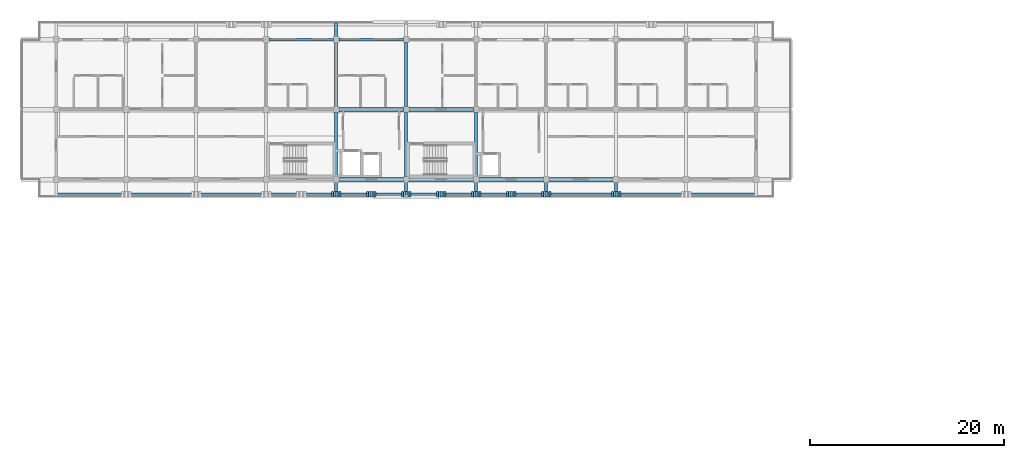
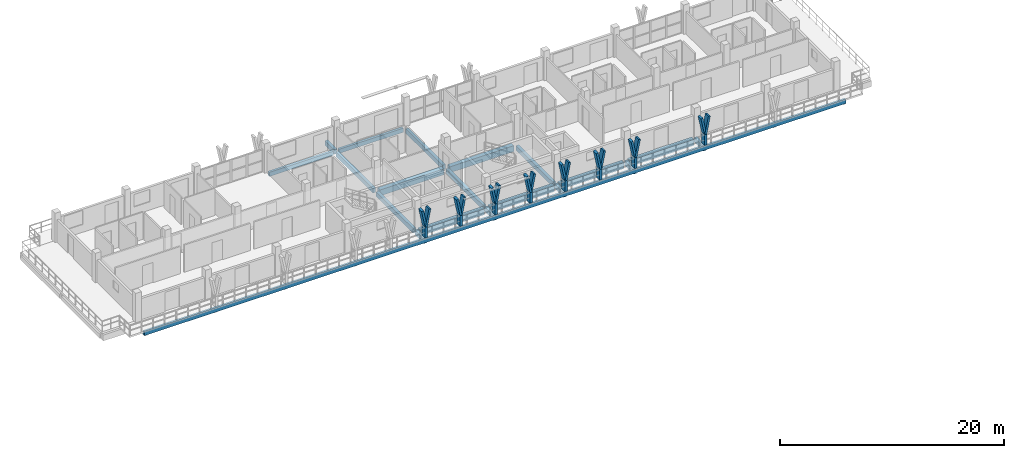
# One storey, part 8 of 56: 24 members, 20 beams.
"""IFC4 building model written with IfcOpenShell, lengths in metres."""

from ifc_helpers import new_model, si_unit, direction, frame, origin, origin_2d, place, context, subcontext, project, spatial, rectangle, extrude, material, material_profile, profile_set, type_object, element, save


model = new_model("IFC4")

# Units and contexts
model_context = context("Model", 3, precision=1e-05, world=origin(), true_north=direction((0.0, 1.0)))
body_context = subcontext(model_context, "Body", "Model", "MODEL_VIEW")
ifc_project = project(units=[si_unit("LENGTHUNIT", "METRE"), si_unit("AREAUNIT", "SQUARE_METRE"), si_unit("VOLUMEUNIT", "CUBIC_METRE"), si_unit("PLANEANGLEUNIT", "RADIAN"), si_unit("MASSUNIT", "GRAM", prefix="KILO")], contexts=[model_context])

# Site, building, storey
site_placement = place(None, origin())
site = spatial("IfcSite", under=ifc_project, at=site_placement, CompositionType="ELEMENT")
building_placement = place(site_placement, origin())
building = spatial("IfcBuilding", under=site, at=building_placement, Name="Suanplinth Sawtooth Commons", CompositionType="ELEMENT")
storey_placement = place(building_placement, frame((0.0, 0.0, 34.800048828125)))
storey = spatial("IfcBuildingStorey", under=building, at=storey_placement, Name="L10", CompositionType="ELEMENT", Elevation=34.800048828125)

# Beams
ifc_material_1 = material(Name="Precast concrete C40/50", Category="concrete")
ifc_material_profile_1 = material_profile(ifc_material_1, rectangle(XDim=0.449951171875, YDim=0.64990234375, at=origin_2d()), Name="PC-GDR 450x650")
ifc_profile_set_1 = profile_set([ifc_material_profile_1], Name="Precast concrete C40/50")
beam_type_1 = type_object("IfcBeamType", Name="B-04", PredefinedType="USERDEFINED", material=ifc_profile_set_1)
for number, where, z_axis, x_axis, name in (
    (1, (50.699951171875, 108.0, -0.545166015625), (1.0, 0.0, 0.0), (0.0, 1.0, 0.0), "BMX-L10-A-7-15"),
    (2, (50.699951171875, 115.199951171875, -0.545166015625), (1.0, 0.0, 0.0), (0.0, 1.0, 0.0), "BMX-L10-A-7-16"),
    (3, (57.89990234375, 108.0, -0.545166015625), (1.0, 0.0, 0.0), (0.0, 1.0, 0.0), "BMX-L10-A-8-15"),
    (4, (57.89990234375, 115.199951171875, -0.545166015625), (1.0, 0.0, 0.0), (0.0, 1.0, 0.0), "BMX-L10-A-8-16"),
):
    element("IfcBeam", number, at=place(storey_placement, frame(where, z_axis=z_axis, x_axis=x_axis)), inside=storey, type_object=beam_type_1, Name=name, ObjectType="GIRDER", PredefinedType="USERDEFINED", context=body_context, shape_type="SweptSolid", body=[
        extrude(rectangle(XDim=0.449951171875, YDim=0.64990234375, at=origin_2d()), origin(), (0.0, 0.0, 1.0), 6.60009765625),
    ])
for number, where, z_axis, x_axis, name in (
    (5, (65.10009765625, 108.0, -0.545166015625), (1.0, 0.0, 0.0), (0.0, 1.0, 0.0), "BMX-L10-A-9-15"),
    (6, (72.300048828125, 108.0, -0.545166015625), (1.0, 0.0, 0.0), (0.0, 1.0, 0.0), "BMX-L10-A-10-15"),
):
    element("IfcBeam", number, at=place(storey_placement, frame(where, z_axis=z_axis, x_axis=x_axis)), inside=storey, type_object=beam_type_1, Name=name, ObjectType="GIRDER", PredefinedType="USERDEFINED", context=body_context, shape_type="SweptSolid", body=[
        extrude(rectangle(XDim=0.449951171875, YDim=0.64990234375, at=origin_2d()), origin(), (0.0, 0.0, 1.0), 6.599853515625),
    ])
ifc_material_profile_2 = material_profile(ifc_material_1, rectangle(XDim=0.300048828125, YDim=0.5, at=origin_2d()), Name="PC-BM 300x500")
ifc_profile_set_2 = profile_set([ifc_material_profile_2], Name="Precast concrete C40/50")
beam_type_2 = type_object("IfcBeamType", Name="B-07", PredefinedType="BEAM", material=ifc_profile_set_2)
beam_1_placement = place(storey_placement, frame((50.39990234375, 108.300048828125, -0.469970703125), z_axis=(0.0, 1.0, 0.0), x_axis=(-1.0, 0.0, 0.0)))
element("IfcBeam", 7, at=beam_1_placement, inside=storey, type_object=beam_type_2, Name="BMY-L10-A-7-15", PredefinedType="BEAM", context=body_context, shape_type="SweptSolid", body=[
    extrude(rectangle(XDim=0.300048828125, YDim=0.5, at=origin_2d()), origin(), (0.0, 0.0, 1.0), 6.599853515625),
])
beam_2_placement = place(storey_placement, frame((50.39990234375, 115.5, -0.469970703125), z_axis=(0.0, 1.0, 0.0), x_axis=(-1.0, 0.0, 0.0)))
element("IfcBeam", 8, at=beam_2_placement, inside=storey, type_object=beam_type_2, Name="BMY-L10-A-7-16", PredefinedType="BEAM", context=body_context, shape_type="SweptSolid", body=[
    extrude(rectangle(XDim=0.300048828125, YDim=0.5, at=origin_2d()), origin(), (0.0, 0.0, 1.0), 6.60009765625),
])
beam_3_placement = place(storey_placement, frame((57.60009765625, 108.300048828125, -0.469970703125), z_axis=(0.0, 1.0, 0.0), x_axis=(-1.0, 0.0, 0.0)))
element("IfcBeam", 9, at=beam_3_placement, inside=storey, type_object=beam_type_2, Name="BMY-L10-A-8-15", PredefinedType="BEAM", context=body_context, shape_type="SweptSolid", body=[
    extrude(rectangle(XDim=0.300048828125, YDim=0.5, at=origin_2d()), origin(), (0.0, 0.0, 1.0), 6.599853515625),
])
beam_4_placement = place(storey_placement, frame((57.60009765625, 115.5, -0.469970703125), z_axis=(0.0, 1.0, 0.0), x_axis=(-1.0, 0.0, 0.0)))
element("IfcBeam", 10, at=beam_4_placement, inside=storey, type_object=beam_type_2, Name="BMY-L10-A-8-16", PredefinedType="BEAM", context=body_context, shape_type="SweptSolid", body=[
    extrude(rectangle(XDim=0.300048828125, YDim=0.5, at=origin_2d()), origin(), (0.0, 0.0, 1.0), 6.60009765625),
])
beam_5_placement = place(storey_placement, frame((64.800048828125, 108.300048828125, -0.469970703125), z_axis=(0.0, 1.0, 0.0), x_axis=(-1.0, 0.0, 0.0)))
element("IfcBeam", 11, at=beam_5_placement, inside=storey, type_object=beam_type_2, Name="BMY-L10-A-9-15", PredefinedType="BEAM", context=body_context, shape_type="SweptSolid", body=[
    extrude(rectangle(XDim=0.300048828125, YDim=0.5, at=origin_2d()), origin(), (0.0, 0.0, 1.0), 6.599853515625),
])
beam_6_placement = place(storey_placement, frame((50.39990234375, 122.39990234375, -0.429931640625), z_axis=(0.0, 1.0, 0.0), x_axis=(-1.0, 0.0, 0.0)))
element("IfcBeam", 12, at=beam_6_placement, inside=storey, type_object=beam_type_2, Name="Balcony Outrigger L10-A-N-7", PredefinedType="BEAM", context=body_context, shape_type="SweptSolid", body=[
    extrude(rectangle(XDim=0.300048828125, YDim=0.5, at=origin_2d()), origin(), (0.0, 0.0, 1.0), 1.64013671875),
])
for number, where, z_axis, x_axis, name in (
    (13, (50.39990234375, 108.0, -0.429931640625), (0.0, -1.0, 0.0), (1.0, 0.0, 0.0), "Balcony Outrigger L10-A-S-7"),
    (14, (57.60009765625, 108.0, -0.429931640625), (0.0, -1.0, 0.0), (1.0, 0.0, 0.0), "Balcony Outrigger L10-A-S-8"),
    (15, (64.800048828125, 108.0, -0.429931640625), (0.0, -1.0, 0.0), (1.0, 0.0, 0.0), "Balcony Outrigger L10-A-S-9"),
    (16, (72.0, 108.0, -0.429931640625), (0.0, -1.0, 0.0), (1.0, 0.0, 0.0), "Balcony Outrigger L10-A-S-10"),
    (17, (79.199951171875, 108.0, -0.429931640625), (0.0, -1.0, 0.0), (1.0, 0.0, 0.0), "Balcony Outrigger L10-A-S-11"),
):
    element("IfcBeam", number, at=place(storey_placement, frame(where, z_axis=z_axis, x_axis=x_axis)), inside=storey, type_object=beam_type_2, Name=name, PredefinedType="BEAM", context=body_context, shape_type="SweptSolid", body=[
        extrude(rectangle(XDim=0.300048828125, YDim=0.5, at=origin_2d()), origin(), (0.0, 0.0, 1.0), 1.639892578125),
    ])
ifc_material_profile_3 = material_profile(ifc_material_1, rectangle(XDim=0.25, YDim=0.449951171875, at=origin_2d()), Name="PC-SP 250x450")
ifc_profile_set_3 = profile_set([ifc_material_profile_3], Name="Precast concrete C40/50")
beam_type_3 = type_object("IfcBeamType", Name="B-09", PredefinedType="SPANDREL", material=ifc_profile_set_3)
for number, where, z_axis, x_axis, name in (
    (18, (43.5, 122.39990234375, -0.445068359375), (1.0, 0.0, 0.0), (0.0, 1.0, 0.0), "BMX-L10-A-6-17"),
    (19, (50.699951171875, 122.39990234375, -0.445068359375), (1.0, 0.0, 0.0), (0.0, 1.0, 0.0), "BMX-L10-A-7-17"),
):
    element("IfcBeam", number, at=place(storey_placement, frame(where, z_axis=z_axis, x_axis=x_axis)), inside=storey, type_object=beam_type_3, Name=name, PredefinedType="SPANDREL", context=body_context, shape_type="SweptSolid", body=[
        extrude(rectangle(XDim=0.25, YDim=0.449951171875, at=origin_2d()), origin(), (0.0, 0.0, 1.0), 6.60009765625),
    ])
beam_7_placement = place(storey_placement, frame((21.449951171875, 106.47998046875, -0.405029296875), z_axis=(1.0, 0.0, 0.0), x_axis=(0.0, 1.0, 0.0)))
element("IfcBeam", 20, at=beam_7_placement, inside=storey, type_object=beam_type_3, Name="Balcony Edge Fascia L10-A-S", PredefinedType="SPANDREL", context=body_context, shape_type="SweptSolid", body=[
    extrude(rectangle(XDim=0.25, YDim=0.449951171875, at=origin_2d()), origin(), (0.0, 0.0, 1.0), 72.300048828125),
])

# Members
ifc_material_2 = material(Name="Pigmented precast concrete C40/50", Category="concrete")
ifc_material_profile_4 = material_profile(ifc_material_2, rectangle(XDim=0.260009765625, YDim=0.550048828125, at=origin_2d()), Name="PC-FIN 260x550")
ifc_profile_set_4 = profile_set([ifc_material_profile_4], Name="Pigmented precast concrete C40/50")
member_type_1 = type_object("IfcMemberType", Name="M-09", PredefinedType="USERDEFINED", material=ifc_profile_set_4)
for number, where, z_axis, x_axis, name in (
    (21, (50.39990234375, 106.47998046875, 0.0), (0.0, 0.0, 1.0), (1.0, 0.0, 0.0), "Y-Blade Stem L10-A-S-10"),
    (22, (54.0, 106.47998046875, 0.0), (0.0, 0.0, 1.0), (1.0, 0.0, 0.0), "Y-Blade Stem L10-A-S-11"),
    (23, (57.60009765625, 106.47998046875, 0.0), (0.0, 0.0, 1.0), (1.0, 0.0, 0.0), "Y-Blade Stem L10-A-S-12"),
    (24, (61.199951171875, 106.47998046875, 0.0), (0.0, 0.0, 1.0), (1.0, 0.0, 0.0), "Y-Blade Stem L10-A-S-13"),
    (25, (64.800048828125, 106.47998046875, 0.0), (0.0, 0.0, 1.0), (1.0, 0.0, 0.0), "Y-Blade Stem L10-A-S-14"),
    (26, (68.39990234375, 106.47998046875, 0.0), (0.0, 0.0, 1.0), (1.0, 0.0, 0.0), "Y-Blade Stem L10-A-S-15"),
    (27, (72.0, 106.47998046875, 0.0), (0.0, 0.0, 1.0), (1.0, 0.0, 0.0), "Y-Blade Stem L10-A-S-16"),
    (28, (79.199951171875, 106.47998046875, 0.0), (0.0, 0.0, 1.0), (1.0, 0.0, 0.0), "Y-Blade Stem L10-A-S-17"),
):
    element("IfcMember", number, at=place(storey_placement, frame(where, z_axis=z_axis, x_axis=x_axis)), inside=storey, type_object=member_type_1, Name=name, ObjectType="SHADING FIN", PredefinedType="USERDEFINED", context=body_context, shape_type="SweptSolid", body=[
        extrude(rectangle(XDim=0.260009765625, YDim=0.550048828125, at=origin_2d()), origin(), (0.0, 0.0, 1.0), 1.169921875),
    ])
ifc_material_profile_5 = material_profile(ifc_material_2, rectangle(XDim=0.219970703125, YDim=0.550048828125, at=origin_2d()), Name="PC-FIN 220x550")
ifc_profile_set_5 = profile_set([ifc_material_profile_5], Name="Pigmented precast concrete C40/50")
member_type_2 = type_object("IfcMemberType", Name="M-10", PredefinedType="USERDEFINED", material=ifc_profile_set_5)
member_1_placement = place(storey_placement, frame((50.39990234375, 106.47998046875, 1.1298828125), z_axis=(-0.196285728346, 0.0, 0.980546741796), x_axis=(0.980546741796, 0.0, 0.196285728346)))
element("IfcMember", 29, at=member_1_placement, inside=storey, type_object=member_type_2, Name="Y-Blade Arm L L10-A-S-10", ObjectType="SHADING FIN", PredefinedType="USERDEFINED", context=body_context, shape_type="SweptSolid", body=[
    extrude(rectangle(XDim=0.219970703125, YDim=0.550048828125, at=origin_2d()), origin(), (0.0, 0.0, 1.0), 1.937744140625),
])
for number, where, z_axis, x_axis, name in (
    (30, (50.39990234375, 106.47998046875, 1.1298828125), (0.196406855569, 0.0, 0.980522486782), (-0.980522486782, 0.0, 0.196406855569), "Y-Blade Arm R L10-A-S-10"),
    (31, (54.0, 106.47998046875, 1.1298828125), (-0.196406855569, 0.0, 0.980522486782), (0.980522486782, 0.0, 0.196406855569), "Y-Blade Arm L L10-A-S-11"),
    (32, (54.0, 106.47998046875, 1.1298828125), (0.196406855569, 0.0, 0.980522486782), (-0.980522486782, 0.0, 0.196406855569), "Y-Blade Arm R L10-A-S-11"),
    (33, (57.60009765625, 106.47998046875, 1.1298828125), (-0.196406855569, 0.0, 0.980522486782), (0.980522486782, 0.0, 0.196406855569), "Y-Blade Arm L L10-A-S-12"),
):
    element("IfcMember", number, at=place(storey_placement, frame(where, z_axis=z_axis, x_axis=x_axis)), inside=storey, type_object=member_type_2, Name=name, ObjectType="SHADING FIN", PredefinedType="USERDEFINED", context=body_context, shape_type="SweptSolid", body=[
        extrude(rectangle(XDim=0.219970703125, YDim=0.550048828125, at=origin_2d()), origin(), (0.0, 0.0, 1.0), 1.93798828125),
    ])
for number, where, z_axis, x_axis, name in (
    (34, (57.60009765625, 106.47998046875, 1.1298828125), (0.196285728346, 0.0, 0.980546741796), (-0.980546741796, 0.0, 0.196285728346), "Y-Blade Arm R L10-A-S-12"),
    (35, (61.199951171875, 106.47998046875, 1.1298828125), (-0.196285728346, 0.0, 0.980546741796), (0.980546741796, 0.0, 0.196285728346), "Y-Blade Arm L L10-A-S-13"),
):
    element("IfcMember", number, at=place(storey_placement, frame(where, z_axis=z_axis, x_axis=x_axis)), inside=storey, type_object=member_type_2, Name=name, ObjectType="SHADING FIN", PredefinedType="USERDEFINED", context=body_context, shape_type="SweptSolid", body=[
        extrude(rectangle(XDim=0.219970703125, YDim=0.550048828125, at=origin_2d()), origin(), (0.0, 0.0, 1.0), 1.937744140625),
    ])
for number, where, z_axis, x_axis, name in (
    (36, (61.199951171875, 106.47998046875, 1.1298828125), (0.196406855569, 0.0, 0.980522486782), (-0.980522486782, 0.0, 0.196406855569), "Y-Blade Arm R L10-A-S-13"),
    (37, (64.800048828125, 106.47998046875, 1.1298828125), (-0.196406855569, 0.0, 0.980522486782), (0.980522486782, 0.0, 0.196406855569), "Y-Blade Arm L L10-A-S-14"),
):
    element("IfcMember", number, at=place(storey_placement, frame(where, z_axis=z_axis, x_axis=x_axis)), inside=storey, type_object=member_type_2, Name=name, ObjectType="SHADING FIN", PredefinedType="USERDEFINED", context=body_context, shape_type="SweptSolid", body=[
        extrude(rectangle(XDim=0.219970703125, YDim=0.550048828125, at=origin_2d()), origin(), (0.0, 0.0, 1.0), 1.93798828125),
    ])
for number, where, z_axis, x_axis, name in (
    (38, (64.800048828125, 106.47998046875, 1.1298828125), (0.196285728346, 0.0, 0.980546741796), (-0.980546741796, 0.0, 0.196285728346), "Y-Blade Arm R L10-A-S-14"),
    (39, (68.39990234375, 106.47998046875, 1.1298828125), (-0.196285728346, 0.0, 0.980546741796), (0.980546741796, 0.0, 0.196285728346), "Y-Blade Arm L L10-A-S-15"),
):
    element("IfcMember", number, at=place(storey_placement, frame(where, z_axis=z_axis, x_axis=x_axis)), inside=storey, type_object=member_type_2, Name=name, ObjectType="SHADING FIN", PredefinedType="USERDEFINED", context=body_context, shape_type="SweptSolid", body=[
        extrude(rectangle(XDim=0.219970703125, YDim=0.550048828125, at=origin_2d()), origin(), (0.0, 0.0, 1.0), 1.937744140625),
    ])
for number, where, z_axis, x_axis, name in (
    (40, (68.39990234375, 106.47998046875, 1.1298828125), (0.196406855569, 0.0, 0.980522486782), (-0.980522486782, 0.0, 0.196406855569), "Y-Blade Arm R L10-A-S-15"),
    (41, (72.0, 106.47998046875, 1.1298828125), (-0.196406855569, 0.0, 0.980522486782), (0.980522486782, 0.0, 0.196406855569), "Y-Blade Arm L L10-A-S-16"),
    (42, (72.0, 106.47998046875, 1.1298828125), (0.196406855569, 0.0, 0.980522486782), (-0.980522486782, 0.0, 0.196406855569), "Y-Blade Arm R L10-A-S-16"),
):
    element("IfcMember", number, at=place(storey_placement, frame(where, z_axis=z_axis, x_axis=x_axis)), inside=storey, type_object=member_type_2, Name=name, ObjectType="SHADING FIN", PredefinedType="USERDEFINED", context=body_context, shape_type="SweptSolid", body=[
        extrude(rectangle(XDim=0.219970703125, YDim=0.550048828125, at=origin_2d()), origin(), (0.0, 0.0, 1.0), 1.93798828125),
    ])
member_2_placement = place(storey_placement, frame((79.199951171875, 106.47998046875, 1.1298828125), z_axis=(-0.196285728346, 0.0, 0.980546741796), x_axis=(0.980546741796, 0.0, 0.196285728346)))
element("IfcMember", 43, at=member_2_placement, inside=storey, type_object=member_type_2, Name="Y-Blade Arm L L10-A-S-17", ObjectType="SHADING FIN", PredefinedType="USERDEFINED", context=body_context, shape_type="SweptSolid", body=[
    extrude(rectangle(XDim=0.219970703125, YDim=0.550048828125, at=origin_2d()), origin(), (0.0, 0.0, 1.0), 1.937744140625),
])
member_3_placement = place(storey_placement, frame((79.199951171875, 106.47998046875, 1.1298828125), z_axis=(0.196406855569, 0.0, 0.980522486782), x_axis=(-0.980522486782, 0.0, 0.196406855569)))
element("IfcMember", 44, at=member_3_placement, inside=storey, type_object=member_type_2, Name="Y-Blade Arm R L10-A-S-17", ObjectType="SHADING FIN", PredefinedType="USERDEFINED", context=body_context, shape_type="SweptSolid", body=[
    extrude(rectangle(XDim=0.219970703125, YDim=0.550048828125, at=origin_2d()), origin(), (0.0, 0.0, 1.0), 1.93798828125),
])

save(model, "model.ifc")
